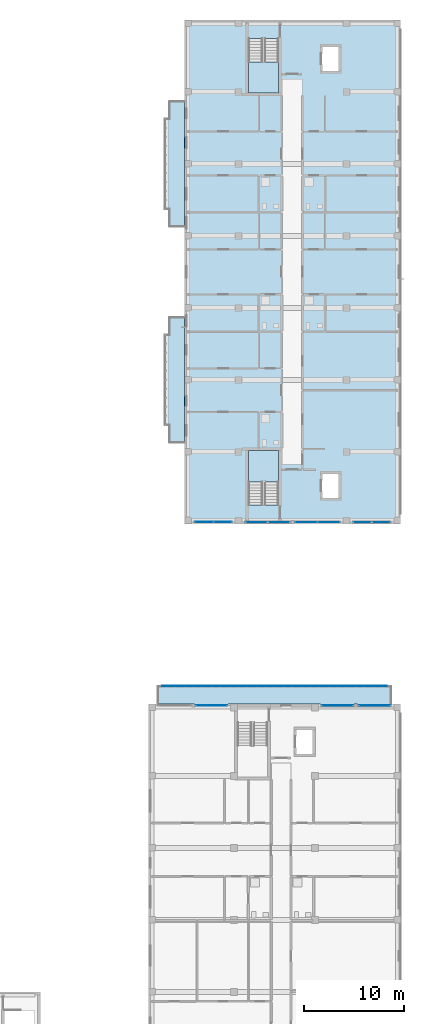
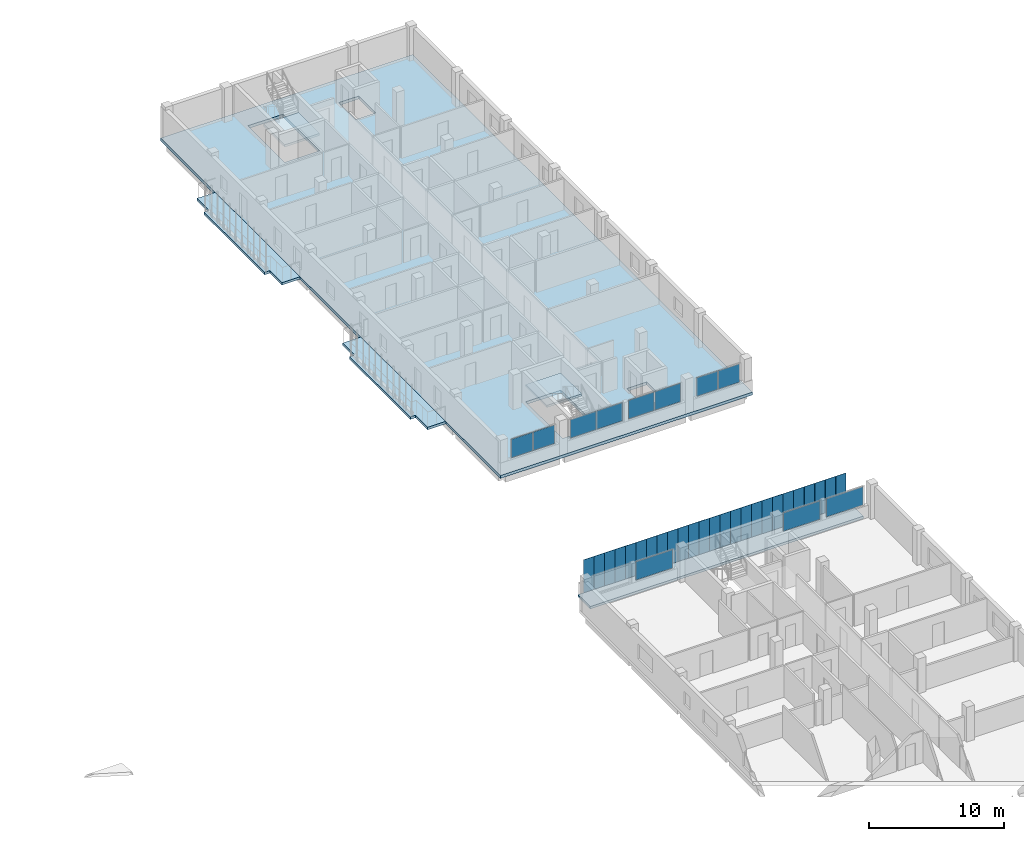
# One storey, part 24 of 56: 36 plates, 6 slabs, 9 elements without a shape of their own.
"""IFC4 building model written with IfcOpenShell, lengths in metres."""

from ifc_helpers import new_model, si_unit, derived_unit, direction, frame, origin, origin_2d, place, context, subcontext, project, spatial, polyline, rectangle, outline, extrude, material, layer, layer_set, type_object, element, aggregate, save


model = new_model("IFC4")

# Units and contexts
model_context = context("Model", 3, precision=1e-05, world=origin(), true_north=direction((0.0, 1.0)))
body_context = subcontext(model_context, "Body", "Model", "MODEL_VIEW")
ifc_project = project(units=[si_unit("LENGTHUNIT", "METRE"), si_unit("AREAUNIT", "SQUARE_METRE"), si_unit("VOLUMEUNIT", "CUBIC_METRE"), si_unit("PLANEANGLEUNIT", "RADIAN"), si_unit("MASSUNIT", "GRAM", prefix="KILO"), derived_unit("THERMALTRANSMITTANCEUNIT", [(si_unit("MASSUNIT", "GRAM", prefix="KILO"), 1), (si_unit("TIMEUNIT", "SECOND"), -3), (si_unit("THERMODYNAMICTEMPERATUREUNIT", "KELVIN"), -1)])], contexts=[model_context])

# Site, building, storey
site_placement = place(None, origin())
site = spatial("IfcSite", under=ifc_project, at=site_placement, CompositionType="ELEMENT")
building_placement = place(site_placement, origin())
building = spatial("IfcBuilding", under=site, at=building_placement, Name="Ochrekiln Boulevard Commons", CompositionType="ELEMENT")
storey_placement = place(building_placement, frame((0.0, 0.0, 12.074951171875)))
storey = spatial("IfcBuildingStorey", under=building, at=storey_placement, Name="L03", CompositionType="ELEMENT", Elevation=12.074951171875)

# Curtain wall, plates
ifc_material_1 = material(Name="Bronze-anodized extruded aluminium 6063-T6", Category="aluminium")
ifc_layer_1 = layer(ifc_material_1, 0.18408203125)
ifc_layer_set_1 = layer_set([ifc_layer_1], Name="Bronze-anodized extruded aluminium 6063-T6")
curtain_wall_type = type_object("IfcCurtainWallType", Name="CW-GABLE-B", PredefinedType="USERDEFINED", material=ifc_layer_set_1)
curtain_wall_1_placement = place(storey_placement, origin())
curtain_wall_1 = element("IfcCurtainWall", 1, at=curtain_wall_1_placement, inside=storey, type_object=curtain_wall_type, Name="Block B L03 Courtyard Glazed Gable Curtain Wall 2", ObjectType="GLAZED CURTAIN WALL", PredefinedType="USERDEFINED")
ifc_material_2 = material(Name="Spectrally selective low-E insulated glazing", Category="glass")
ifc_layer_2 = layer(ifc_material_2, 0.02392578125)
ifc_layer_set_2 = layer_set([ifc_layer_2], Name="Spectrally selective low-E insulated glazing")
plate_type_1 = type_object("IfcPlateType", Name="CWP-GLZ-1", PredefinedType="CURTAIN_PANEL", material=ifc_layer_set_2)
plate_1_placement = place(storey_placement, frame((158.38134765625, 68.570068359375, 1.175048828125), z_axis=(0.0, 0.0, 1.0), x_axis=(1.0, 0.0, 0.0)))
plate_1 = element("IfcPlate", 2, at=plate_1_placement, type_object=plate_type_1, Name="CW-02 panel 1.1", PredefinedType="CURTAIN_PANEL", context=body_context, shape_type="SweptSolid", body=[
    extrude(rectangle(XDim=2.1923828125, YDim=0.02392578125, at=origin_2d()), origin(), (0.0, 0.0, 1.0), 1.64990234375),
])
plate_2_placement = place(storey_placement, frame((160.638671875, 68.570068359375, 1.175048828125), z_axis=(0.0, 0.0, 1.0), x_axis=(1.0, 0.0, 0.0)))
plate_2 = element("IfcPlate", 3, at=plate_2_placement, type_object=plate_type_1, Name="CW-02 panel 2.1", PredefinedType="CURTAIN_PANEL", context=body_context, shape_type="SweptSolid", body=[
    extrude(rectangle(XDim=2.1923828125, YDim=0.02392578125, at=origin_2d()), origin(), (0.0, 0.0, 1.0), 1.64990234375),
])
aggregate(curtain_wall_1, [plate_1, plate_2])

# Curtain wall, plate
curtain_wall_2_placement = place(storey_placement, origin())
curtain_wall_2 = element("IfcCurtainWall", 4, at=curtain_wall_2_placement, inside=storey, type_object=curtain_wall_type, Name="Block C L03 Courtyard Glazed Gable Curtain Wall 4", ObjectType="GLAZED CURTAIN WALL", PredefinedType="USERDEFINED")
plate_3_placement = place(storey_placement, frame((170.18994140625, 50.235107421875, 1.175048828125), z_axis=(0.0, 0.0, 1.0), x_axis=(1.0, 0.0, 0.0)))
plate_3 = element("IfcPlate", 5, at=plate_3_placement, type_object=plate_type_1, Name="CW-02 panel 1.1", PredefinedType="CURTAIN_PANEL", context=body_context, shape_type="SweptSolid", body=[
    extrude(rectangle(XDim=3.14990234375, YDim=0.02392578125, at=origin_2d()), origin(), (0.0, 0.0, 1.0), 1.64990234375),
])
aggregate(curtain_wall_2, [plate_3])

# Curtain wall, plates
curtain_wall_3_placement = place(storey_placement, origin())
curtain_wall_3 = element("IfcCurtainWall", 6, at=curtain_wall_3_placement, inside=storey, type_object=curtain_wall_type, Name="Block B L03 Courtyard Glazed Gable Curtain Wall 3", ObjectType="GLAZED CURTAIN WALL", PredefinedType="USERDEFINED")
ifc_layer_3 = layer(ifc_material_2, 0.030029296875)
ifc_layer_set_3 = layer_set([ifc_layer_3], Name="Spectrally selective low-E insulated glazing")
plate_type_2 = type_object("IfcPlateType", Name="CWP-GLZ-2", PredefinedType="CURTAIN_PANEL", material=ifc_layer_set_3)
plate_4_placement = place(storey_placement, frame((163.360107421875, 68.570068359375, 1.169921875), z_axis=(0.0, 0.0, 1.0), x_axis=(1.0, 0.0, 0.0)))
plate_4 = element("IfcPlate", 7, at=plate_4_placement, type_object=plate_type_2, Name="CW-02 panel 1.1", PredefinedType="CURTAIN_PANEL", context=body_context, shape_type="SweptSolid", body=[
    extrude(rectangle(XDim=2.199951171875, YDim=0.030029296875, at=origin_2d()), origin(), (0.0, 0.0, 1.0), 1.659912109375),
])
plate_5_placement = place(storey_placement, frame((165.6201171875, 68.570068359375, 1.169921875), z_axis=(0.0, 0.0, 1.0), x_axis=(1.0, 0.0, 0.0)))
plate_5 = element("IfcPlate", 8, at=plate_5_placement, type_object=plate_type_2, Name="CW-02 panel 2.1", PredefinedType="CURTAIN_PANEL", context=body_context, shape_type="SweptSolid", body=[
    extrude(rectangle(XDim=2.199951171875, YDim=0.030029296875, at=origin_2d()), origin(), (0.0, 0.0, 1.0), 1.659912109375),
])
aggregate(curtain_wall_3, [plate_4, plate_5])

curtain_wall_4_placement = place(storey_placement, origin())
curtain_wall_4 = element("IfcCurtainWall", 9, at=curtain_wall_4_placement, inside=storey, type_object=curtain_wall_type, Name="Block B L03 Courtyard Glazed Gable Curtain Wall 4", ObjectType="GLAZED CURTAIN WALL", PredefinedType="USERDEFINED")
ifc_layer_4 = layer(ifc_material_2, 0.035888671875)
ifc_layer_set_4 = layer_set([ifc_layer_4], Name="Spectrally selective low-E insulated glazing")
plate_type_3 = type_object("IfcPlateType", Name="CWP-GLZ-3", PredefinedType="CURTAIN_PANEL", material=ifc_layer_set_4)
plate_6_placement = place(storey_placement, frame((168.98876953125, 68.570068359375, 1.175048828125), z_axis=(0.0, 0.0, 1.0), x_axis=(1.0, 0.0, 0.0)))
plate_6 = element("IfcPlate", 10, at=plate_6_placement, type_object=plate_type_3, Name="CW-02 panel 1.1", PredefinedType="CURTAIN_PANEL", context=body_context, shape_type="SweptSolid", body=[
    extrude(rectangle(XDim=1.8076171875, YDim=0.035888671875, at=origin_2d()), origin(), (0.0, 0.0, 1.0), 1.64990234375),
])
plate_7_placement = place(storey_placement, frame((170.861328125, 68.570068359375, 1.175048828125), z_axis=(0.0, 0.0, 1.0), x_axis=(1.0, 0.0, 0.0)))
plate_7 = element("IfcPlate", 11, at=plate_7_placement, type_object=plate_type_3, Name="CW-02 panel 2.1", PredefinedType="CURTAIN_PANEL", context=body_context, shape_type="SweptSolid", body=[
    extrude(rectangle(XDim=1.8076171875, YDim=0.035888671875, at=origin_2d()), origin(), (0.0, 0.0, 1.0), 1.64990234375),
])
aggregate(curtain_wall_4, [plate_6, plate_7])

# Curtain wall, plate
curtain_wall_5_placement = place(storey_placement, origin())
curtain_wall_5 = element("IfcCurtainWall", 12, at=curtain_wall_5_placement, inside=storey, type_object=curtain_wall_type, Name="Block C L03 Courtyard Glazed Gable Curtain Wall 2", ObjectType="GLAZED CURTAIN WALL", PredefinedType="USERDEFINED")
plate_8_placement = place(storey_placement, frame((153.889892578125, 50.235107421875, 1.175048828125), z_axis=(0.0, 0.0, 1.0), x_axis=(1.0, 0.0, 0.0)))
plate_8 = element("IfcPlate", 13, at=plate_8_placement, type_object=plate_type_3, Name="CW-02 panel 1.1", PredefinedType="CURTAIN_PANEL", context=body_context, shape_type="SweptSolid", body=[
    extrude(rectangle(XDim=3.14990234375, YDim=0.035888671875, at=origin_2d()), origin(), (0.0, 0.0, 1.0), 1.64990234375),
])
aggregate(curtain_wall_5, [plate_8])

# Curtain wall, plates
curtain_wall_6_placement = place(storey_placement, origin())
curtain_wall_6 = element("IfcCurtainWall", 14, at=curtain_wall_6_placement, inside=storey, type_object=curtain_wall_type, Name="Block B L03 Courtyard Glazed Gable Curtain Wall 1", ObjectType="GLAZED CURTAIN WALL", PredefinedType="USERDEFINED")
ifc_layer_5 = layer(ifc_material_2, 0.0419921875)
ifc_layer_set_5 = layer_set([ifc_layer_5], Name="Spectrally selective low-E insulated glazing")
plate_type_4 = type_object("IfcPlateType", Name="CWP-GLZ-4", PredefinedType="CURTAIN_PANEL", material=ifc_layer_set_5)
plate_9_placement = place(storey_placement, frame((153.137451171875, 68.570068359375, 1.169921875), z_axis=(0.0, 0.0, 1.0), x_axis=(1.0, 0.0, 0.0)))
plate_9 = element("IfcPlate", 15, at=plate_9_placement, type_object=plate_type_4, Name="CW-02 panel 1.1", PredefinedType="CURTAIN_PANEL", context=body_context, shape_type="SweptSolid", body=[
    extrude(rectangle(XDim=1.81494140625, YDim=0.0419921875, at=origin_2d()), origin(), (0.0, 0.0, 1.0), 1.659912109375),
])
plate_10_placement = place(storey_placement, frame((155.012451171875, 68.570068359375, 1.169921875), z_axis=(0.0, 0.0, 1.0), x_axis=(1.0, 0.0, 0.0)))
plate_10 = element("IfcPlate", 16, at=plate_10_placement, type_object=plate_type_4, Name="CW-02 panel 2.1", PredefinedType="CURTAIN_PANEL", context=body_context, shape_type="SweptSolid", body=[
    extrude(rectangle(XDim=1.81494140625, YDim=0.0419921875, at=origin_2d()), origin(), (0.0, 0.0, 1.0), 1.659912109375),
])
aggregate(curtain_wall_6, [plate_9, plate_10])

# Curtain wall, plate
curtain_wall_7_placement = place(storey_placement, origin())
curtain_wall_7 = element("IfcCurtainWall", 17, at=curtain_wall_7_placement, inside=storey, type_object=curtain_wall_type, Name="Block C L03 Courtyard Glazed Gable Curtain Wall 3", ObjectType="GLAZED CURTAIN WALL", PredefinedType="USERDEFINED")
plate_11_placement = place(storey_placement, frame((166.510009765625, 50.235107421875, 1.175048828125), z_axis=(0.0, 0.0, 1.0), x_axis=(1.0, 0.0, 0.0)))
plate_11 = element("IfcPlate", 18, at=plate_11_placement, type_object=plate_type_4, Name="CW-02 panel 1.1", PredefinedType="CURTAIN_PANEL", context=body_context, shape_type="SweptSolid", body=[
    extrude(rectangle(XDim=3.14990234375, YDim=0.0419921875, at=origin_2d()), origin(), (0.0, 0.0, 1.0), 1.64990234375),
])
aggregate(curtain_wall_7, [plate_11])

# Plates
ifc_layer_6 = layer(ifc_material_1, 0.02001953125)
ifc_layer_set_6 = layer_set([ifc_layer_6], Name="Bronze-anodized extruded aluminium 6063-T6")
plate_type_5 = type_object("IfcPlateType", Name="PLT-SCR-BRZ-1", PredefinedType="USERDEFINED", material=ifc_layer_set_6)
for number, where, z_axis, x_axis, name in (
    (19, (149.39990234375, 52.18994140625, -0.159912109375), (0.0, 0.0, 1.0), (1.0, 0.0, 0.0), "Block C L03 Perforated Bronze Mesh Screen Panel 1"),
    (20, (150.300048828125, 52.18994140625, -0.159912109375), (0.0, 0.0, 1.0), (1.0, 0.0, 0.0), "Block C L03 Perforated Bronze Mesh Screen Panel 2"),
    (21, (151.199951171875, 52.18994140625, -0.159912109375), (0.0, 0.0, 1.0), (1.0, 0.0, 0.0), "Block C L03 Perforated Bronze Mesh Screen Panel 3"),
    (22, (152.10009765625, 52.18994140625, -0.159912109375), (0.0, 0.0, 1.0), (1.0, 0.0, 0.0), "Block C L03 Perforated Bronze Mesh Screen Panel 4"),
    (23, (153.0, 52.18994140625, -0.159912109375), (0.0, 0.0, 1.0), (1.0, 0.0, 0.0), "Block C L03 Perforated Bronze Mesh Screen Panel 5"),
    (24, (153.89990234375, 52.18994140625, -0.159912109375), (0.0, 0.0, 1.0), (1.0, 0.0, 0.0), "Block C L03 Perforated Bronze Mesh Screen Panel 6"),
    (25, (154.800048828125, 52.18994140625, -0.159912109375), (0.0, 0.0, 1.0), (1.0, 0.0, 0.0), "Block C L03 Perforated Bronze Mesh Screen Panel 7"),
    (26, (155.699951171875, 52.18994140625, -0.159912109375), (0.0, 0.0, 1.0), (1.0, 0.0, 0.0), "Block C L03 Perforated Bronze Mesh Screen Panel 8"),
    (27, (156.60009765625, 52.18994140625, -0.159912109375), (0.0, 0.0, 1.0), (1.0, 0.0, 0.0), "Block C L03 Perforated Bronze Mesh Screen Panel 9"),
    (28, (157.5, 52.18994140625, -0.159912109375), (0.0, 0.0, 1.0), (1.0, 0.0, 0.0), "Block C L03 Perforated Bronze Mesh Screen Panel 10"),
    (29, (158.39990234375, 52.18994140625, -0.159912109375), (0.0, 0.0, 1.0), (1.0, 0.0, 0.0), "Block C L03 Perforated Bronze Mesh Screen Panel 11"),
    (30, (159.300048828125, 52.18994140625, -0.159912109375), (0.0, 0.0, 1.0), (1.0, 0.0, 0.0), "Block C L03 Perforated Bronze Mesh Screen Panel 12"),
    (31, (160.199951171875, 52.18994140625, -0.159912109375), (0.0, 0.0, 1.0), (1.0, 0.0, 0.0), "Block C L03 Perforated Bronze Mesh Screen Panel 13"),
    (32, (161.10009765625, 52.18994140625, -0.159912109375), (0.0, 0.0, 1.0), (1.0, 0.0, 0.0), "Block C L03 Perforated Bronze Mesh Screen Panel 14"),
    (33, (162.0, 52.18994140625, -0.159912109375), (0.0, 0.0, 1.0), (1.0, 0.0, 0.0), "Block C L03 Perforated Bronze Mesh Screen Panel 15"),
    (34, (162.89990234375, 52.18994140625, -0.159912109375), (0.0, 0.0, 1.0), (1.0, 0.0, 0.0), "Block C L03 Perforated Bronze Mesh Screen Panel 16"),
    (35, (163.800048828125, 52.18994140625, -0.159912109375), (0.0, 0.0, 1.0), (1.0, 0.0, 0.0), "Block C L03 Perforated Bronze Mesh Screen Panel 17"),
    (36, (164.699951171875, 52.18994140625, -0.159912109375), (0.0, 0.0, 1.0), (1.0, 0.0, 0.0), "Block C L03 Perforated Bronze Mesh Screen Panel 18"),
    (37, (165.60009765625, 52.18994140625, -0.159912109375), (0.0, 0.0, 1.0), (1.0, 0.0, 0.0), "Block C L03 Perforated Bronze Mesh Screen Panel 19"),
    (38, (166.5, 52.18994140625, -0.159912109375), (0.0, 0.0, 1.0), (1.0, 0.0, 0.0), "Block C L03 Perforated Bronze Mesh Screen Panel 20"),
    (39, (167.39990234375, 52.18994140625, -0.159912109375), (0.0, 0.0, 1.0), (1.0, 0.0, 0.0), "Block C L03 Perforated Bronze Mesh Screen Panel 21"),
    (40, (168.300048828125, 52.18994140625, -0.159912109375), (0.0, 0.0, 1.0), (1.0, 0.0, 0.0), "Block C L03 Perforated Bronze Mesh Screen Panel 22"),
    (41, (169.199951171875, 52.18994140625, -0.159912109375), (0.0, 0.0, 1.0), (1.0, 0.0, 0.0), "Block C L03 Perforated Bronze Mesh Screen Panel 23"),
    (42, (170.10009765625, 52.18994140625, -0.159912109375), (0.0, 0.0, 1.0), (1.0, 0.0, 0.0), "Block C L03 Perforated Bronze Mesh Screen Panel 24"),
    (43, (171.0, 52.18994140625, -0.159912109375), (0.0, 0.0, 1.0), (1.0, 0.0, 0.0), "Block C L03 Perforated Bronze Mesh Screen Panel 25"),
):
    element("IfcPlate", number, at=place(storey_placement, frame(where, z_axis=z_axis, x_axis=x_axis)), inside=storey, type_object=plate_type_5, Name=name, ObjectType="SCREEN", PredefinedType="USERDEFINED", context=body_context, shape_type="SweptSolid", body=[
        extrude(rectangle(XDim=0.8798828125, YDim=0.02001953125, at=origin_2d()), origin(), (0.0, 0.0, 1.0), 3.14990234375),
    ])

# Slabs
ifc_material_3 = material(Name="Concrete C35/45", Category="concrete")
ifc_layer_7 = layer(ifc_material_3, 0.219970703125)
ifc_layer_set_7 = layer_set([ifc_layer_7], Name="Concrete C35/45")
slab_type_1 = type_object("IfcSlabType", Name="SLB-BAL-220", PredefinedType="FLOOR", material=ifc_layer_set_7)
slab_1_placement = place(storey_placement, frame((0.0, 0.0, -0.219970703125)))
element("IfcSlab", 44, at=slab_1_placement, inside=storey, type_object=slab_type_1, Name="Block B L03 Planter-Box Balcony Slab 1", PredefinedType="FLOOR", context=body_context, shape_type="SweptSolid", body=[
    extrude(outline(polyline([(151.199951171875, 76.5), (151.199951171875, 89.10009765625), (149.64990234375, 89.10009765625), (149.64990234375, 87.300048828125), (149.199951171875, 87.300048828125), (149.199951171875, 78.300048828125), (149.64990234375, 78.300048828125), (149.64990234375, 76.5), (151.199951171875, 76.5)])), origin(), (0.0, 0.0, 1.0), 0.219970703125),
])
slab_2_placement = place(storey_placement, frame((0.0, 0.0, -0.219970703125)))
element("IfcSlab", 45, at=slab_2_placement, inside=storey, type_object=slab_type_1, Name="Block B L03 Planter-Box Balcony Slab 2", PredefinedType="FLOOR", context=body_context, shape_type="SweptSolid", body=[
    extrude(outline(polyline([(151.199951171875, 98.10009765625), (151.199951171875, 110.699951171875), (149.64990234375, 110.699951171875), (149.64990234375, 108.89990234375), (149.199951171875, 108.89990234375), (149.199951171875, 99.89990234375), (149.64990234375, 99.89990234375), (149.64990234375, 98.10009765625), (151.199951171875, 98.10009765625)])), origin(), (0.0, 0.0, 1.0), 0.219970703125),
])
slab_3_placement = place(storey_placement, frame((0.0, 0.0, -0.219970703125)))
element("IfcSlab", 46, at=slab_3_placement, inside=storey, type_object=slab_type_1, Name="Block C L03 Screened North Courtyard Balcony Slab", PredefinedType="FLOOR", context=body_context, shape_type="SweptSolid", body=[
    extrude(outline(polyline([(148.5, 50.39990234375), (171.89990234375, 50.39990234375), (171.89990234375, 52.199951171875), (148.5, 52.199951171875), (148.5, 50.39990234375)])), origin(), (0.0, 0.0, 1.0), 0.219970703125),
])

# Stair, slab
stair_type = type_object("IfcStairType", Name="STR-DL-315", PredefinedType="TWO_STRAIGHT_RUN_STAIR", material=ifc_material_3)
stair_1_placement = place(storey_placement, origin())
stair_1 = element("IfcStair", 47, at=stair_1_placement, inside=storey, type_object=stair_type, Name="L03 Enclosed Exit Stair ST-B1", PredefinedType="TWO_STRAIGHT_RUN_STAIR")
ifc_layer_8 = layer(ifc_material_3, 0.199951171875)
ifc_layer_set_8 = layer_set([ifc_layer_8], Name="Concrete C35/45")
slab_type_2 = type_object("IfcSlabType", Name="SLB-LND-200", PredefinedType="LANDING", material=ifc_layer_set_8)
slab_4_placement = place(storey_placement, frame((0.0, 0.0, 1.375)))
slab_4 = element("IfcSlab", 48, at=slab_4_placement, type_object=slab_type_2, Name="ST-B1 landing 1", PredefinedType="LANDING", context=body_context, shape_type="SweptSolid", body=[
    extrude(outline(polyline([(160.60009765625, 72.590087890625), (160.60009765625, 75.719970703125), (157.60009765625, 75.719970703125), (157.60009765625, 72.590087890625), (160.60009765625, 72.590087890625)])), origin(), (0.0, 0.0, 1.0), 0.199951171875),
])
aggregate(stair_1, [slab_4])

stair_2_placement = place(storey_placement, origin())
stair_2 = element("IfcStair", 49, at=stair_2_placement, inside=storey, type_object=stair_type, Name="L03 Enclosed Exit Stair ST-B2", PredefinedType="TWO_STRAIGHT_RUN_STAIR")
slab_5_placement = place(storey_placement, frame((0.0, 0.0, 1.375)))
slab_5 = element("IfcSlab", 50, at=slab_5_placement, type_object=slab_type_2, Name="ST-B2 landing 1", PredefinedType="LANDING", context=body_context, shape_type="SweptSolid", body=[
    extrude(outline(polyline([(157.60009765625, 114.610107421875), (157.60009765625, 111.47998046875), (160.60009765625, 111.47998046875), (160.60009765625, 114.610107421875), (157.60009765625, 114.610107421875)])), origin(), (0.0, 0.0, 1.0), 0.199951171875),
])
aggregate(stair_2, [slab_5])

# Slab
ifc_layer_9 = layer(ifc_material_3, 0.260009765625)
ifc_layer_set_9 = layer_set([ifc_layer_9], Name="Concrete C35/45")
slab_type_3 = type_object("IfcSlabType", Name="SLB-RES-260", PredefinedType="FLOOR", material=ifc_layer_set_9)
slab_6_placement = place(storey_placement, frame((0.0, 0.0, -0.260009765625)))
element("IfcSlab", 51, at=slab_6_placement, inside=storey, type_object=slab_type_3, Name="Block B L03 Reinforced Concrete Floor Slab", PredefinedType="FLOOR", context=body_context, shape_type="SweptSolid", body=[
    extrude(outline(polyline([(151.199951171875, 68.39990234375), (172.800048828125, 68.39990234375), (172.800048828125, 118.800048828125), (151.199951171875, 118.800048828125), (151.199951171875, 68.39990234375)]), holes=[polyline([(160.60009765625, 70.2705078125), (160.60009765625, 75.719970703125), (157.60009765625, 75.719970703125), (157.60009765625, 70.2705078125), (160.60009765625, 70.2705078125)]), polyline([(157.60009765625, 116.929443359375), (157.60009765625, 111.47998046875), (160.60009765625, 111.47998046875), (160.60009765625, 116.929443359375), (157.60009765625, 116.929443359375)]), polyline([(164.949951171875, 70.949951171875), (166.64990234375, 70.949951171875), (166.64990234375, 73.449951171875), (164.949951171875, 73.449951171875), (164.949951171875, 70.949951171875)]), polyline([(164.949951171875, 113.64990234375), (166.64990234375, 113.64990234375), (166.64990234375, 116.14990234375), (164.949951171875, 116.14990234375), (164.949951171875, 113.64990234375)])]), origin(), (0.0, 0.0, 1.0), 0.260009765625),
])

save(model, "model.ifc")
